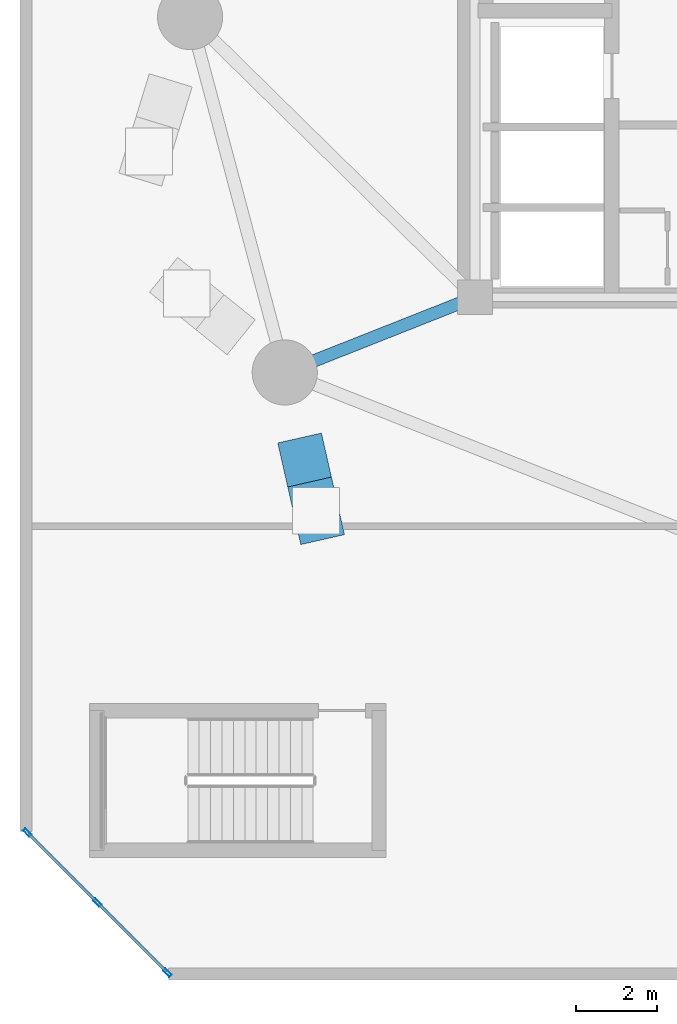
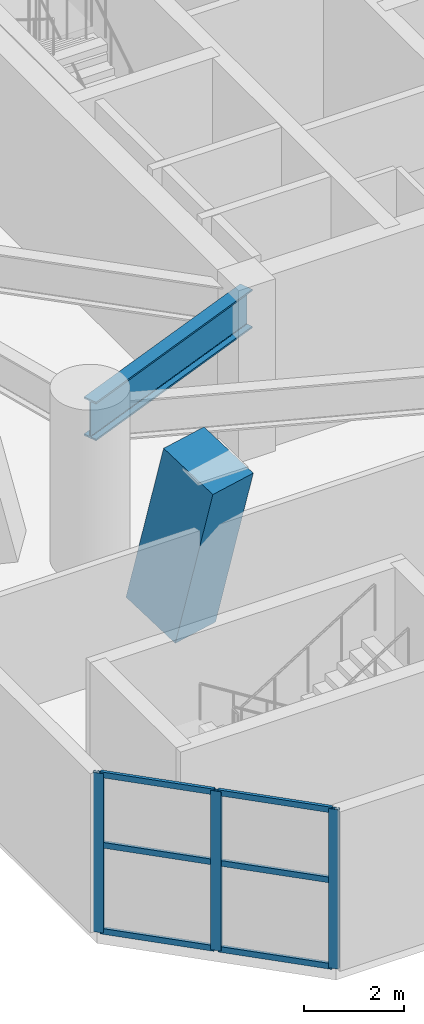
# One storey, part 3 of 20: 10 members, 1 beam, 1 element without a shape of its own.
"""IFC4 building model written with IfcOpenShell, lengths in metres."""

from ifc_helpers import new_model, si_unit, direction, frame, origin, origin_2d, place, context, subcontext, project, spatial, rectangle, hollow_rectangle, i_section, extrude, material, layer, layer_set, material_profile, profile_set, type_object, element, aggregate, save


model = new_model("IFC4")

# Units and contexts
model_context = context("Model", 3, precision=1e-05, world=origin(), true_north=direction((0.0, 1.0)))
body_context = subcontext(model_context, "Body", "Model", "MODEL_VIEW")
ifc_project = project(units=[si_unit("LENGTHUNIT", "METRE"), si_unit("AREAUNIT", "SQUARE_METRE"), si_unit("VOLUMEUNIT", "CUBIC_METRE"), si_unit("PLANEANGLEUNIT", "RADIAN"), si_unit("MASSUNIT", "GRAM", prefix="KILO")], contexts=[model_context])

# Site, building, storey
site_placement = place(None, origin())
site = spatial("IfcSite", under=ifc_project, at=site_placement, CompositionType="ELEMENT")
building_placement = place(site_placement, origin())
building = spatial("IfcBuilding", under=site, at=building_placement, Name="Cununo Teusaquillo Station Towers", CompositionType="ELEMENT")
storey_placement = place(building_placement, frame((0.0, 0.0, 9.0)))
storey = spatial("IfcBuildingStorey", under=building, at=storey_placement, Name="L02", CompositionType="ELEMENT", Elevation=9.0)

# Beam
ifc_material_1 = material(Name="Steel ASTM A572 Grade 50", Category="steel")
ifc_material_profile_1 = material_profile(ifc_material_1, i_section(OverallWidth=0.30810546875, OverallDepth=0.943115234375, WebThickness=0.022216796875, FlangeThickness=0.039794921875, FilletRadius=0.02392578125, at=origin_2d()), Name="W36X232")
ifc_profile_set_1 = profile_set([ifc_material_profile_1], Name="Steel ASTM A572 Grade 50")
beam_type = type_object("IfcBeamType", Name="BM-POD-SEC", PredefinedType="BEAM", material=ifc_profile_set_1)
beam_placement = place(storey_placement, frame((11.324951171875, 17.6201171875, 3.428466796875), z_axis=(-0.929864104313, -0.367903176814, 0.0), x_axis=(0.367903176814, -0.929864104313, 0.0)))
element("IfcBeam", 1, at=beam_placement, inside=storey, type_object=beam_type, Name="L02 Tower A Podium Radial Girder 4", PredefinedType="BEAM", context=body_context, shape_type="SweptSolid", body=[
    extrude(i_section(OverallWidth=0.30810546875, OverallDepth=0.943115234375, WebThickness=0.022216796875, FlangeThickness=0.039794921875, FilletRadius=0.02392578125, at=origin_2d()), origin(), (0.0, 0.0, 1.0), 5.02490234375),
])

# Curtain wall, members
ifc_material_2 = material(Name="Ceramic-fritted dark low-E double glazing", Category="glass")
ifc_layer = layer(ifc_material_2, 0.179931640625)
ifc_layer_set = layer_set([ifc_layer], Name="Ceramic-fritted dark low-E double glazing")
curtain_wall_type = type_object("IfcCurtainWallType", Name="CW-SYS-01", PredefinedType="USERDEFINED", material=ifc_layer_set)
curtain_wall_placement = place(storey_placement, origin())
curtain_wall = element("IfcCurtainWall", 2, at=curtain_wall_placement, inside=storey, type_object=curtain_wall_type, Name="L02 Station Podium Corner Curtain Wall 8", ObjectType="FRITTED GLAZING", PredefinedType="USERDEFINED")
ifc_material_3 = material(Name="Anodised dark bronze aluminium EN AW-6063-T6", Category="aluminium")
ifc_material_profile_2 = material_profile(ifc_material_3, hollow_rectangle(XDim=0.080078125, YDim=0.219970703125, WallThickness=0.0048828125, at=origin_2d()), Name="CW-MULL-80x220")
ifc_profile_set_2 = profile_set([ifc_material_profile_2], Name="Anodised dark bronze aluminium EN AW-6063-T6")
member_type_1 = type_object("IfcMemberType", Name="CWM-220", PredefinedType="MULLION", material=ifc_profile_set_2)
member_1_placement = place(storey_placement, frame((3.771728515625, 1.0283203125, 0.0), z_axis=(0.0, 0.0, 1.0), x_axis=(-0.707106781187, -0.707106781187, 0.0)))
member_1 = element("IfcMember", 3, at=member_1_placement, type_object=member_type_1, Name="CW-01 mullion 1", PredefinedType="MULLION", context=body_context, shape_type="SweptSolid", body=[
    extrude(hollow_rectangle(XDim=0.080078125, YDim=0.219970703125, WallThickness=0.0048828125, at=origin_2d()), origin(), (0.0, 0.0, 1.0), 3.885009765625),
])
member_2_placement = place(storey_placement, frame((2.050048828125, 2.75, 0.0), z_axis=(0.0, 0.0, 1.0), x_axis=(-0.707106781187, -0.707106781187, 0.0)))
member_2 = element("IfcMember", 4, at=member_2_placement, type_object=member_type_1, Name="CW-01 mullion 2", PredefinedType="MULLION", context=body_context, shape_type="SweptSolid", body=[
    extrude(hollow_rectangle(XDim=0.080078125, YDim=0.219970703125, WallThickness=0.0048828125, at=origin_2d()), origin(), (0.0, 0.0, 1.0), 3.885009765625),
])
member_3_placement = place(storey_placement, frame((0.328369140625, 4.4716796875, 0.0), z_axis=(0.0, 0.0, 1.0), x_axis=(-0.707106781187, -0.707106781187, 0.0)))
member_3 = element("IfcMember", 5, at=member_3_placement, type_object=member_type_1, Name="CW-01 mullion 3", PredefinedType="MULLION", context=body_context, shape_type="SweptSolid", body=[
    extrude(hollow_rectangle(XDim=0.080078125, YDim=0.219970703125, WallThickness=0.0048828125, at=origin_2d()), origin(), (0.0, 0.0, 1.0), 3.885009765625),
])
ifc_material_4 = material(Name="Anodised dark bronze aluminium EN AW-6063-T6", Category="aluminium")
ifc_material_profile_3 = material_profile(ifc_material_4, hollow_rectangle(XDim=0.070068359375, YDim=0.139892578125, WallThickness=0.00390625, at=origin_2d()), Name="CW-TRAN-70x140")
ifc_profile_set_3 = profile_set([ifc_material_profile_3], Name="Anodised dark bronze aluminium EN AW-6063-T6")
member_type_2 = type_object("IfcMemberType", Name="CWT-140", PredefinedType="USERDEFINED", material=ifc_profile_set_3)
member_4_placement = place(storey_placement, frame((3.743408203125, 1.056640625, 0.034912109375), z_axis=(-0.707106781187, 0.707106781187, 0.0), x_axis=(-0.707106781187, -0.707106781187, 0.0)))
member_4 = element("IfcMember", 6, at=member_4_placement, type_object=member_type_2, Name="CW-01 transom 1.1", ObjectType="TRANSOM", PredefinedType="USERDEFINED", context=body_context, shape_type="SweptSolid", body=[
    extrude(hollow_rectangle(XDim=0.070068359375, YDim=0.139892578125, WallThickness=0.00390625, at=origin_2d()), origin(), (0.0, 0.0, 1.0), 2.354736328125),
])
member_5_placement = place(storey_placement, frame((3.743408203125, 1.056640625, 2.136962890625), z_axis=(-0.707106781187, 0.707106781187, 0.0), x_axis=(-0.707106781187, -0.707106781187, 0.0)))
member_5 = element("IfcMember", 7, at=member_5_placement, type_object=member_type_2, Name="CW-01 transom 1.2", ObjectType="TRANSOM", PredefinedType="USERDEFINED", context=body_context, shape_type="SweptSolid", body=[
    extrude(hollow_rectangle(XDim=0.070068359375, YDim=0.139892578125, WallThickness=0.00390625, at=origin_2d()), origin(), (0.0, 0.0, 1.0), 2.354736328125),
])
member_6_placement = place(storey_placement, frame((3.743408203125, 1.056640625, 3.85009765625), z_axis=(-0.707106781187, 0.707106781187, 0.0), x_axis=(-0.707106781187, -0.707106781187, 0.0)))
member_6 = element("IfcMember", 8, at=member_6_placement, type_object=member_type_2, Name="CW-01 transom 1.3", ObjectType="TRANSOM", PredefinedType="USERDEFINED", context=body_context, shape_type="SweptSolid", body=[
    extrude(hollow_rectangle(XDim=0.070068359375, YDim=0.139892578125, WallThickness=0.00390625, at=origin_2d()), origin(), (0.0, 0.0, 1.0), 2.354736328125),
])
member_7_placement = place(storey_placement, frame((2.021728515625, 2.7783203125, 0.034912109375), z_axis=(-0.707106781187, 0.707106781187, 0.0), x_axis=(-0.707106781187, -0.707106781187, 0.0)))
member_7 = element("IfcMember", 9, at=member_7_placement, type_object=member_type_2, Name="CW-01 transom 2.1", ObjectType="TRANSOM", PredefinedType="USERDEFINED", context=body_context, shape_type="SweptSolid", body=[
    extrude(hollow_rectangle(XDim=0.070068359375, YDim=0.139892578125, WallThickness=0.00390625, at=origin_2d()), origin(), (0.0, 0.0, 1.0), 2.354736328125),
])
member_8_placement = place(storey_placement, frame((2.021728515625, 2.7783203125, 2.136962890625), z_axis=(-0.707106781187, 0.707106781187, 0.0), x_axis=(-0.707106781187, -0.707106781187, 0.0)))
member_8 = element("IfcMember", 10, at=member_8_placement, type_object=member_type_2, Name="CW-01 transom 2.2", ObjectType="TRANSOM", PredefinedType="USERDEFINED", context=body_context, shape_type="SweptSolid", body=[
    extrude(hollow_rectangle(XDim=0.070068359375, YDim=0.139892578125, WallThickness=0.00390625, at=origin_2d()), origin(), (0.0, 0.0, 1.0), 2.354736328125),
])
member_9_placement = place(storey_placement, frame((2.021728515625, 2.7783203125, 3.85009765625), z_axis=(-0.707106781187, 0.707106781187, 0.0), x_axis=(-0.707106781187, -0.707106781187, 0.0)))
member_9 = element("IfcMember", 11, at=member_9_placement, type_object=member_type_2, Name="CW-01 transom 2.3", ObjectType="TRANSOM", PredefinedType="USERDEFINED", context=body_context, shape_type="SweptSolid", body=[
    extrude(hollow_rectangle(XDim=0.070068359375, YDim=0.139892578125, WallThickness=0.00390625, at=origin_2d()), origin(), (0.0, 0.0, 1.0), 2.354736328125),
])
aggregate(curtain_wall, [member_1, member_2, member_3, member_4, member_5, member_6, member_7, member_8, member_9])

# Member
ifc_material_5 = material(Name="Concrete C60/75", Category="concrete")
ifc_material_profile_4 = material_profile(ifc_material_5, rectangle(XDim=1.10009765625, YDim=1.5, at=origin_2d()), Name="RC-RECT-1500x1100")
ifc_profile_set_4 = profile_set([ifc_material_profile_4], Name="Concrete C60/75")
member_type_3 = type_object("IfcMemberType", Name="MBR-VFOOT", PredefinedType="USERDEFINED", material=ifc_profile_set_4)
member_10_placement = place(storey_placement, frame((7.177490234375, 13.454345703125, 0.0), z_axis=(0.056372761122, -0.248928174485, 0.966879969671), x_axis=(0.975303454617, 0.220869127338, 0.0)))
element("IfcMember", 12, at=member_10_placement, inside=storey, type_object=member_type_3, Name="L02 Tower A Sloping Concrete V-Foot V12R", ObjectType="V FOOT STRUT", PredefinedType="USERDEFINED", context=body_context, shape_type="SweptSolid", body=[
    extrude(rectangle(XDim=1.10009765625, YDim=1.5, at=origin_2d()), origin(), (0.0, 0.0, 1.0), 4.34375),
])

save(model, "model.ifc")
